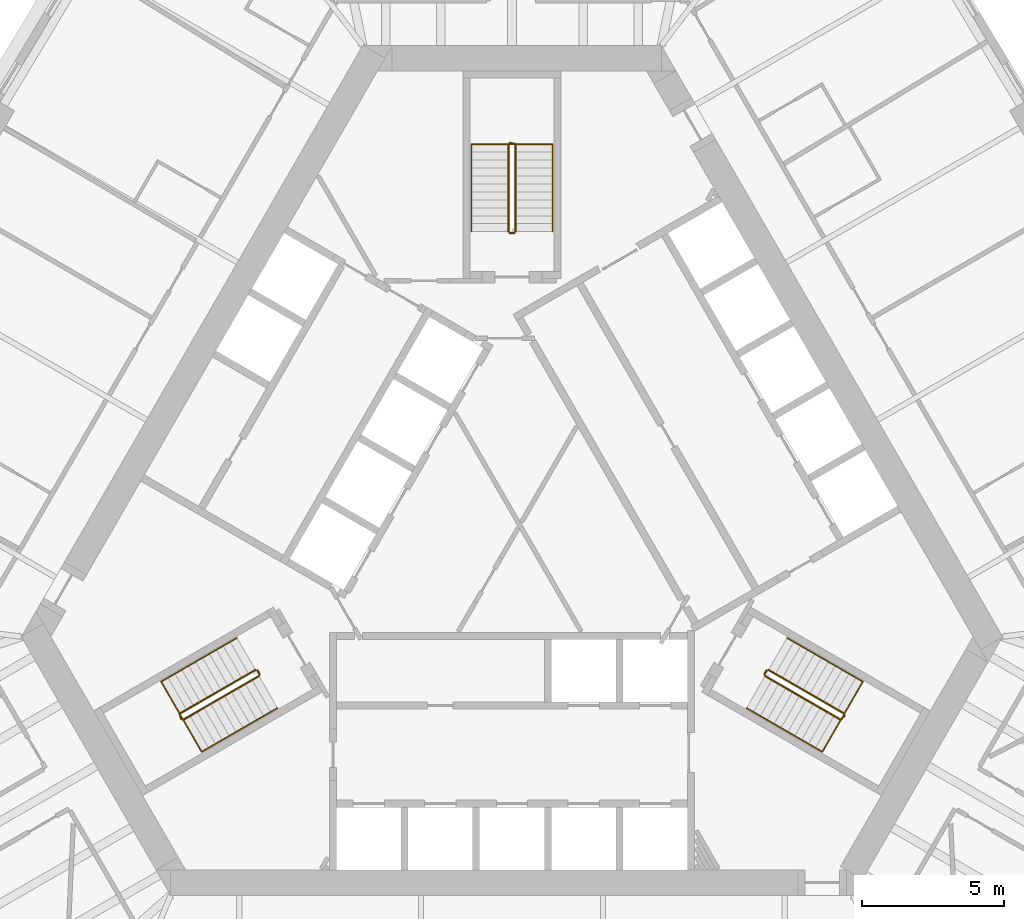
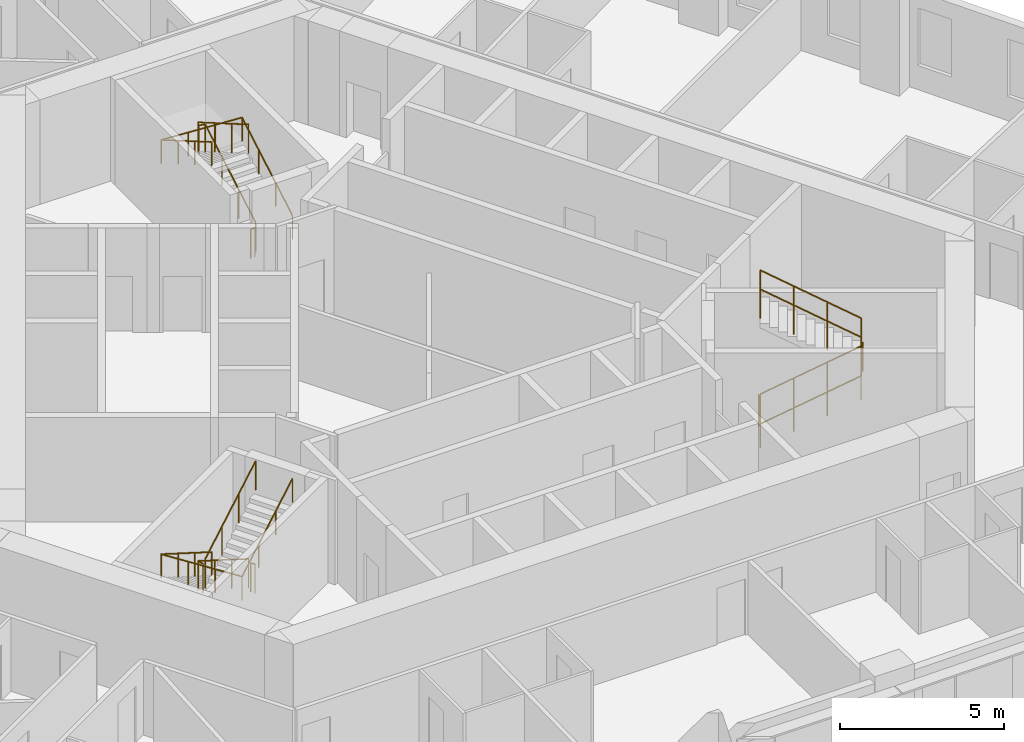
# One storey, part 13 of 13: 12 railings.
"""IFC4 building model written with IfcOpenShell, lengths in metres."""

from ifc_helpers import new_model, si_unit, direction, frame, origin, origin_2d, place, context, subcontext, project, spatial, circle, extrude, material, type_object, element, save


model = new_model("IFC4")

# Units and contexts
model_context = context("Model", 3, precision=1e-05, world=origin(), true_north=direction((0.0, 1.0)))
body_context = subcontext(model_context, "Body", "Model", "MODEL_VIEW")
ifc_project = project(units=[si_unit("LENGTHUNIT", "METRE"), si_unit("AREAUNIT", "SQUARE_METRE"), si_unit("VOLUMEUNIT", "CUBIC_METRE"), si_unit("PLANEANGLEUNIT", "RADIAN"), si_unit("MASSUNIT", "GRAM", prefix="KILO")], contexts=[model_context])

# Site, building, storey
site_placement = place(None, origin())
site = spatial("IfcSite", under=ifc_project, at=site_placement, CompositionType="ELEMENT")
building_placement = place(site_placement, origin())
building = spatial("IfcBuilding", under=site, at=building_placement, Name="Mestral Congress Tower", CompositionType="ELEMENT")
storey_placement = place(building_placement, frame((0.0, 0.0, 51.0)))
storey = spatial("IfcBuildingStorey", under=building, at=storey_placement, Name="L11", CompositionType="ELEMENT", Elevation=51.0)

# Railings
ifc_material_1 = material(Name="Steel balustrade", Category="steel")
railing_type_1 = type_object("IfcRailingType", Name="Stair guard 1100", PredefinedType="GUARDRAIL", material=ifc_material_1)
railing_1_placement = place(storey_placement, frame((8.90087890625, -5.283203125, 0.16259765625)))
element("IfcRailing", 1, at=railing_1_placement, inside=storey, type_object=railing_type_1, Name="L11 ST1 stair guard 1", PredefinedType="GUARDRAIL", context=body_context, shape_type="SweptSolid", body=[
    extrude(circle(Radius=0.02392578125, at=origin_2d()), frame((0.0, 0.0, 1.076171875), z_axis=(0.749019742845, -0.432477486304, 0.501928927906), x_axis=(0.500026652407, 0.866010015463, 0.0)), (0.0, 0.0, 1.0), 3.56103515625),
    extrude(circle(Radius=0.02392578125, at=origin_2d()), frame((2.667236328125, -1.5400390625, 2.86328125), z_axis=(0.695164929852, 0.718850276695, 0.0), x_axis=(-0.718850276695, 0.695164929852, 0.0)), (0.0, 0.0, 1.0), 0.2060546875),
    extrude(circle(Radius=0.02099609375, at=origin_2d()), origin(), (0.0, 0.0, 1.0), 1.052001953125),
    extrude(circle(Radius=0.02099609375, at=origin_2d()), frame((0.88916015625, -0.513427734375, 0.595703125)), (0.0, 0.0, 1.0), 1.052001953125),
    extrude(circle(Radius=0.02099609375, at=origin_2d()), frame((1.778076171875, -1.026611328125, 1.191650390625)), (0.0, 0.0, 1.0), 1.052001953125),
    extrude(circle(Radius=0.02099609375, at=origin_2d()), frame((2.667236328125, -1.5400390625, 1.787353515625)), (0.0, 0.0, 1.0), 1.052001953125),
    extrude(circle(Radius=0.02099609375, at=origin_2d()), frame((2.810546875, -1.391845703125, 1.787353515625)), (0.0, 0.0, 1.0), 1.052001953125),
])
railing_2_placement = place(storey_placement, frame((11.693115234375, -6.606689453125, 2.112548828125)))
element("IfcRailing", 2, at=railing_2_placement, inside=storey, type_object=railing_type_1, Name="L11 ST1 stair guard 2", PredefinedType="GUARDRAIL", context=body_context, shape_type="SweptSolid", body=[
    extrude(circle(Radius=0.02392578125, at=origin_2d()), frame((0.0, 0.0, 1.076171875), z_axis=(-0.749019742845, 0.432477486304, 0.501928927906), x_axis=(-0.500026652407, -0.866010015463, 0.0)), (0.0, 0.0, 1.0), 3.56103515625),
    extrude(circle(Radius=0.02099609375, at=origin_2d()), origin(), (0.0, 0.0, 1.0), 1.052001953125),
    extrude(circle(Radius=0.02099609375, at=origin_2d()), frame((-0.88916015625, 0.513427734375, 0.595703125)), (0.0, 0.0, 1.0), 1.052001953125),
    extrude(circle(Radius=0.02099609375, at=origin_2d()), frame((-1.778076171875, 1.026611328125, 1.191650390625)), (0.0, 0.0, 1.0), 1.052001953125),
    extrude(circle(Radius=0.02099609375, at=origin_2d()), frame((-2.667236328125, 1.5400390625, 1.787353515625)), (0.0, 0.0, 1.0), 1.052001953125),
])
railing_3_placement = place(storey_placement, frame((8.882568359375, -5.21484375, 0.0)))
element("IfcRailing", 3, at=railing_3_placement, inside=storey, type_object=railing_type_1, Name="L11 ST1 stair guard 3", PredefinedType="GUARDRAIL", context=body_context, shape_type="SweptSolid", body=[
    extrude(circle(Radius=0.02392578125, at=origin_2d()), frame((0.0, 0.0, 1.076171875), z_axis=(0.499816412211, 0.866131372301, 0.0), x_axis=(-0.866131372301, 0.499816412211, 0.0)), (0.0, 0.0, 1.0), 0.14990234375),
    extrude(circle(Radius=0.02099609375, at=origin_2d()), origin(), (0.0, 0.0, 1.0), 1.052001953125),
    extrude(circle(Radius=0.02099609375, at=origin_2d()), frame((0.074951171875, 0.1298828125, 0.0)), (0.0, 0.0, 1.0), 1.052001953125),
])
railing_4_placement = place(storey_placement, frame((0.125, 10.35009765625, 0.16259765625)))
element("IfcRailing", 4, at=railing_4_placement, inside=storey, type_object=railing_type_1, Name="L11 ST2 stair guard 1", PredefinedType="GUARDRAIL", context=body_context, shape_type="SweptSolid", body=[
    extrude(circle(Radius=0.02392578125, at=origin_2d()), frame((0.0, 0.0, 1.076171875), z_axis=(0.0, 0.864903211148, 0.501938676878), x_axis=(-1.0, 0.0, 0.0)), (0.0, 0.0, 1.0), 3.560791015625),
    extrude(circle(Radius=0.02392578125, at=origin_2d()), frame((0.0, 3.079833984375, 2.86328125), z_axis=(-0.970072785993, 0.242814311512, 0.0), x_axis=(-0.242814311512, -0.970072785993, 0.0)), (0.0, 0.0, 1.0), 0.2060546875),
    extrude(circle(Radius=0.02099609375, at=origin_2d()), origin(), (0.0, 0.0, 1.0), 1.052001953125),
    extrude(circle(Radius=0.02099609375, at=origin_2d()), frame((0.0, 1.026611328125, 0.595703125)), (0.0, 0.0, 1.0), 1.052001953125),
    extrude(circle(Radius=0.02099609375, at=origin_2d()), frame((0.0, 2.05322265625, 1.191650390625)), (0.0, 0.0, 1.0), 1.052001953125),
    extrude(circle(Radius=0.02099609375, at=origin_2d()), frame((0.0, 3.079833984375, 1.787353515625)), (0.0, 0.0, 1.0), 1.052001953125),
    extrude(circle(Radius=0.02099609375, at=origin_2d()), frame((-0.199951171875, 3.1298828125, 1.787353515625)), (0.0, 0.0, 1.0), 1.052001953125),
])
railing_5_placement = place(storey_placement, frame((-0.125, 13.429931640625, 2.112548828125)))
element("IfcRailing", 5, at=railing_5_placement, inside=storey, type_object=railing_type_1, Name="L11 ST2 stair guard 2", PredefinedType="GUARDRAIL", context=body_context, shape_type="SweptSolid", body=[
    extrude(circle(Radius=0.02392578125, at=origin_2d()), frame((0.0, 0.0, 1.076171875), z_axis=(0.0, -0.864903211148, 0.501938676878), x_axis=(1.0, 0.0, 0.0)), (0.0, 0.0, 1.0), 3.560791015625),
    extrude(circle(Radius=0.02099609375, at=origin_2d()), origin(), (0.0, 0.0, 1.0), 1.052001953125),
    extrude(circle(Radius=0.02099609375, at=origin_2d()), frame((0.0, -1.026611328125, 0.595703125)), (0.0, 0.0, 1.0), 1.052001953125),
    extrude(circle(Radius=0.02099609375, at=origin_2d()), frame((0.0, -2.05322265625, 1.191650390625)), (0.0, 0.0, 1.0), 1.052001953125),
    extrude(circle(Radius=0.02099609375, at=origin_2d()), frame((0.0, -3.079833984375, 1.787353515625)), (0.0, 0.0, 1.0), 1.052001953125),
])
railing_6_placement = place(storey_placement, frame((0.074951171875, 10.300048828125, 0.0)))
element("IfcRailing", 6, at=railing_6_placement, inside=storey, type_object=railing_type_1, Name="L11 ST2 stair guard 3", PredefinedType="GUARDRAIL", context=body_context, shape_type="SweptSolid", body=[
    extrude(circle(Radius=0.02392578125, at=origin_2d()), frame((0.0, 0.0, 1.076171875), z_axis=(-1.0, 0.0, 0.0), x_axis=(0.0, -1.0, 0.0)), (0.0, 0.0, 1.0), 0.14990234375),
    extrude(circle(Radius=0.02099609375, at=origin_2d()), origin(), (0.0, 0.0, 1.0), 1.052001953125),
    extrude(circle(Radius=0.02099609375, at=origin_2d()), frame((-0.14990234375, 0.0, 0.0)), (0.0, 0.0, 1.0), 1.052001953125),
])
railing_7_placement = place(storey_placement, frame((-9.02587890625, -5.066650390625, 0.16259765625)))
element("IfcRailing", 7, at=railing_7_placement, inside=storey, type_object=railing_type_1, Name="L11 ST3 stair guard 1", PredefinedType="GUARDRAIL", context=body_context, shape_type="SweptSolid", body=[
    extrude(circle(Radius=0.02392578125, at=origin_2d()), frame((0.0, 0.0, 1.076171875), z_axis=(-0.749019742845, -0.432477486304, 0.501928927906), x_axis=(0.500026652407, -0.866010015463, 0.0)), (0.0, 0.0, 1.0), 3.56103515625),
    extrude(circle(Radius=0.02392578125, at=origin_2d()), frame((-2.667236328125, -1.5400390625, 2.86328125), z_axis=(0.274721127897, -0.961523947641, 0.0), x_axis=(0.961523947641, 0.274721127897, 0.0)), (0.0, 0.0, 1.0), 0.2060546875),
    extrude(circle(Radius=0.02099609375, at=origin_2d()), origin(), (0.0, 0.0, 1.0), 1.052001953125),
    extrude(circle(Radius=0.02099609375, at=origin_2d()), frame((-0.88916015625, -0.513427734375, 0.595703125)), (0.0, 0.0, 1.0), 1.052001953125),
    extrude(circle(Radius=0.02099609375, at=origin_2d()), frame((-1.778076171875, -1.026611328125, 1.191650390625)), (0.0, 0.0, 1.0), 1.052001953125),
    extrude(circle(Radius=0.02099609375, at=origin_2d()), frame((-2.667236328125, -1.5400390625, 1.787353515625)), (0.0, 0.0, 1.0), 1.052001953125),
    extrude(circle(Radius=0.02099609375, at=origin_2d()), frame((-2.610595703125, -1.73828125, 1.787353515625)), (0.0, 0.0, 1.0), 1.052001953125),
])
railing_8_placement = place(storey_placement, frame((-11.568115234375, -6.8232421875, 2.112548828125)))
element("IfcRailing", 8, at=railing_8_placement, inside=storey, type_object=railing_type_1, Name="L11 ST3 stair guard 2", PredefinedType="GUARDRAIL", context=body_context, shape_type="SweptSolid", body=[
    extrude(circle(Radius=0.02392578125, at=origin_2d()), frame((0.0, 0.0, 1.076171875), z_axis=(0.749019742845, 0.432477486304, 0.501928927906), x_axis=(-0.500026652407, 0.866010015463, 0.0)), (0.0, 0.0, 1.0), 3.56103515625),
    extrude(circle(Radius=0.02099609375, at=origin_2d()), origin(), (0.0, 0.0, 1.0), 1.052001953125),
    extrude(circle(Radius=0.02099609375, at=origin_2d()), frame((0.88916015625, 0.513427734375, 0.595703125)), (0.0, 0.0, 1.0), 1.052001953125),
    extrude(circle(Radius=0.02099609375, at=origin_2d()), frame((1.778076171875, 1.026611328125, 1.191650390625)), (0.0, 0.0, 1.0), 1.052001953125),
    extrude(circle(Radius=0.02099609375, at=origin_2d()), frame((2.667236328125, 1.5400390625, 1.787353515625)), (0.0, 0.0, 1.0), 1.052001953125),
])
railing_9_placement = place(storey_placement, frame((-8.95751953125, -5.0849609375, 0.0)))
element("IfcRailing", 9, at=railing_9_placement, inside=storey, type_object=railing_type_1, Name="L11 ST3 stair guard 3", PredefinedType="GUARDRAIL", context=body_context, shape_type="SweptSolid", body=[
    extrude(circle(Radius=0.02392578125, at=origin_2d()), frame((0.0, 0.0, 1.076171875), z_axis=(0.499816412211, -0.866131372301, 0.0), x_axis=(0.866131372301, 0.499816412211, 0.0)), (0.0, 0.0, 1.0), 0.14990234375),
    extrude(circle(Radius=0.02099609375, at=origin_2d()), origin(), (0.0, 0.0, 1.0), 1.052001953125),
    extrude(circle(Radius=0.02099609375, at=origin_2d()), frame((0.074951171875, -0.1298828125, 0.0)), (0.0, 0.0, 1.0), 1.052001953125),
])
ifc_material_2 = material(Name="Steel handrail", Category="steel")
railing_type_2 = type_object("IfcRailingType", Name="Stair handrail 900", PredefinedType="HANDRAIL", material=ifc_material_2)
railing_10_placement = place(storey_placement, frame((8.2509765625, -6.4091796875, 0.16259765625)))
element("IfcRailing", 10, at=railing_10_placement, inside=storey, type_object=railing_type_2, Name="L11 ST1 stair handrail 1", PredefinedType="HANDRAIL", context=body_context, shape_type="SweptSolid", body=[
    extrude(circle(Radius=0.02392578125, at=origin_2d()), frame((0.0, 0.0, 0.8759765625), z_axis=(0.749041951051, -0.432421746936, 0.501943809945), x_axis=(0.499967199496, 0.866044340336, 0.0)), (0.0, 0.0, 1.0), 3.560791015625),
    extrude(circle(Radius=0.02392578125, at=origin_2d()), frame((2.667236328125, -1.539794921875, 2.6630859375), z_axis=(0.499224505807, 0.864598343191, 0.056961370716), x_axis=(-0.866004402611, 0.500036373335, 0.0)), (0.0, 0.0, 1.0), 2.8544921875),
    extrude(circle(Radius=0.02392578125, at=origin_2d()), frame((4.09228515625, 0.92822265625, 2.82568359375), z_axis=(-0.749049836341, 0.432455278019, 0.501903153199), x_axis=(-0.499992328818, -0.866029832698, 0.0)), (0.0, 0.0, 1.0), 3.56103515625),
    extrude(circle(Radius=0.02099609375, at=origin_2d()), origin(), (0.0, 0.0, 1.0), 0.851806640625),
    extrude(circle(Radius=0.02099609375, at=origin_2d()), frame((0.88916015625, -0.51318359375, 0.595703125)), (0.0, 0.0, 1.0), 0.851806640625),
    extrude(circle(Radius=0.02099609375, at=origin_2d()), frame((1.778076171875, -1.026611328125, 1.191650390625)), (0.0, 0.0, 1.0), 0.851806640625),
    extrude(circle(Radius=0.02099609375, at=origin_2d()), frame((2.667236328125, -1.539794921875, 1.787353515625)), (0.0, 0.0, 1.0), 0.851806640625),
    extrude(circle(Radius=0.02099609375, at=origin_2d()), frame((3.142333984375, -0.717041015625, 1.841552734375)), (0.0, 0.0, 1.0), 0.851806640625),
    extrude(circle(Radius=0.02099609375, at=origin_2d()), frame((3.6171875, 0.10546875, 1.895751953125)), (0.0, 0.0, 1.0), 0.851806640625),
    extrude(circle(Radius=0.02099609375, at=origin_2d()), frame((4.09228515625, 0.92822265625, 1.949951171875)), (0.0, 0.0, 1.0), 0.851806640625),
    extrude(circle(Radius=0.02099609375, at=origin_2d()), frame((3.203125, 1.441650390625, 2.545654296875)), (0.0, 0.0, 1.0), 0.851806640625),
    extrude(circle(Radius=0.02099609375, at=origin_2d()), frame((2.31396484375, 1.954833984375, 3.1416015625)), (0.0, 0.0, 1.0), 0.851806640625),
    extrude(circle(Radius=0.02099609375, at=origin_2d()), frame((1.4248046875, 2.46826171875, 3.7373046875)), (0.0, 0.0, 1.0), 0.851806640625),
])
railing_11_placement = place(storey_placement, frame((1.425048828125, 10.35009765625, 0.16259765625)))
element("IfcRailing", 11, at=railing_11_placement, inside=storey, type_object=railing_type_2, Name="L11 ST2 stair handrail 1", PredefinedType="HANDRAIL", context=body_context, shape_type="SweptSolid", body=[
    extrude(circle(Radius=0.02392578125, at=origin_2d()), frame((0.0, 0.0, 0.8759765625), z_axis=(0.0, 0.864903211148, 0.501938676878), x_axis=(-1.0, 0.0, 0.0)), (0.0, 0.0, 1.0), 3.560791015625),
    extrude(circle(Radius=0.02392578125, at=origin_2d()), frame((0.0, 3.079833984375, 2.6630859375), z_axis=(-0.998376618682, 0.0, 0.056957240709), x_axis=(0.0, -1.0, 0.0)), (0.0, 0.0, 1.0), 2.854736328125),
    extrude(circle(Radius=0.02392578125, at=origin_2d()), frame((-2.85009765625, 3.079833984375, 2.82568359375), z_axis=(0.0, -0.864903211148, 0.501938676878), x_axis=(1.0, 0.0, 0.0)), (0.0, 0.0, 1.0), 3.560791015625),
    extrude(circle(Radius=0.02099609375, at=origin_2d()), origin(), (0.0, 0.0, 1.0), 0.851806640625),
    extrude(circle(Radius=0.02099609375, at=origin_2d()), frame((0.0, 1.026611328125, 0.595703125)), (0.0, 0.0, 1.0), 0.851806640625),
    extrude(circle(Radius=0.02099609375, at=origin_2d()), frame((0.0, 2.05322265625, 1.191650390625)), (0.0, 0.0, 1.0), 0.851806640625),
    extrude(circle(Radius=0.02099609375, at=origin_2d()), frame((0.0, 3.079833984375, 1.787353515625)), (0.0, 0.0, 1.0), 0.851806640625),
    extrude(circle(Radius=0.02099609375, at=origin_2d()), frame((-0.949951171875, 3.079833984375, 1.841552734375)), (0.0, 0.0, 1.0), 0.851806640625),
    extrude(circle(Radius=0.02099609375, at=origin_2d()), frame((-1.900146484375, 3.079833984375, 1.895751953125)), (0.0, 0.0, 1.0), 0.851806640625),
    extrude(circle(Radius=0.02099609375, at=origin_2d()), frame((-2.85009765625, 3.079833984375, 1.949951171875)), (0.0, 0.0, 1.0), 0.851806640625),
    extrude(circle(Radius=0.02099609375, at=origin_2d()), frame((-2.85009765625, 2.05322265625, 2.545654296875)), (0.0, 0.0, 1.0), 0.851806640625),
    extrude(circle(Radius=0.02099609375, at=origin_2d()), frame((-2.85009765625, 1.026611328125, 3.1416015625)), (0.0, 0.0, 1.0), 0.851806640625),
    extrude(circle(Radius=0.02099609375, at=origin_2d()), frame((-2.85009765625, 0.0, 3.7373046875)), (0.0, 0.0, 1.0), 0.851806640625),
])
railing_12_placement = place(storey_placement, frame((-9.67578125, -3.94091796875, 0.16259765625)))
element("IfcRailing", 12, at=railing_12_placement, inside=storey, type_object=railing_type_2, Name="L11 ST3 stair handrail 1", PredefinedType="HANDRAIL", context=body_context, shape_type="SweptSolid", body=[
    extrude(circle(Radius=0.02392578125, at=origin_2d()), frame((0.0, 0.0, 0.8759765625), z_axis=(-0.749049836341, -0.432455278019, 0.501903153199), x_axis=(0.499992328818, -0.866029832698, 0.0)), (0.0, 0.0, 1.0), 3.56103515625),
    extrude(circle(Radius=0.02392578125, at=origin_2d()), frame((-2.66748046875, -1.5400390625, 2.6630859375), z_axis=(0.499224505807, -0.864598343191, 0.056961370716), x_axis=(0.866004402611, 0.500036373335, 0.0)), (0.0, 0.0, 1.0), 2.8544921875),
    extrude(circle(Radius=0.02392578125, at=origin_2d()), frame((-1.242431640625, -4.008056640625, 2.82568359375), z_axis=(0.749041951051, 0.432421746936, 0.501943809945), x_axis=(-0.499967199496, 0.866044340336, 0.0)), (0.0, 0.0, 1.0), 3.560791015625),
    extrude(circle(Radius=0.02099609375, at=origin_2d()), origin(), (0.0, 0.0, 1.0), 0.851806640625),
    extrude(circle(Radius=0.02099609375, at=origin_2d()), frame((-0.88916015625, -0.513427734375, 0.595703125)), (0.0, 0.0, 1.0), 0.851806640625),
    extrude(circle(Radius=0.02099609375, at=origin_2d()), frame((-1.7783203125, -1.026611328125, 1.191650390625)), (0.0, 0.0, 1.0), 0.851806640625),
    extrude(circle(Radius=0.02099609375, at=origin_2d()), frame((-2.66748046875, -1.5400390625, 1.787353515625)), (0.0, 0.0, 1.0), 0.851806640625),
    extrude(circle(Radius=0.02099609375, at=origin_2d()), frame((-2.1923828125, -2.36279296875, 1.841552734375)), (0.0, 0.0, 1.0), 0.851806640625),
    extrude(circle(Radius=0.02099609375, at=origin_2d()), frame((-1.717529296875, -3.185302734375, 1.895751953125)), (0.0, 0.0, 1.0), 0.851806640625),
    extrude(circle(Radius=0.02099609375, at=origin_2d()), frame((-1.242431640625, -4.008056640625, 1.949951171875)), (0.0, 0.0, 1.0), 0.851806640625),
    extrude(circle(Radius=0.02099609375, at=origin_2d()), frame((-0.353271484375, -3.494873046875, 2.545654296875)), (0.0, 0.0, 1.0), 0.851806640625),
    extrude(circle(Radius=0.02099609375, at=origin_2d()), frame((0.53564453125, -2.9814453125, 3.1416015625)), (0.0, 0.0, 1.0), 0.851806640625),
    extrude(circle(Radius=0.02099609375, at=origin_2d()), frame((1.4248046875, -2.46826171875, 3.7373046875)), (0.0, 0.0, 1.0), 0.851806640625),
])

save(model, "model.ifc")
